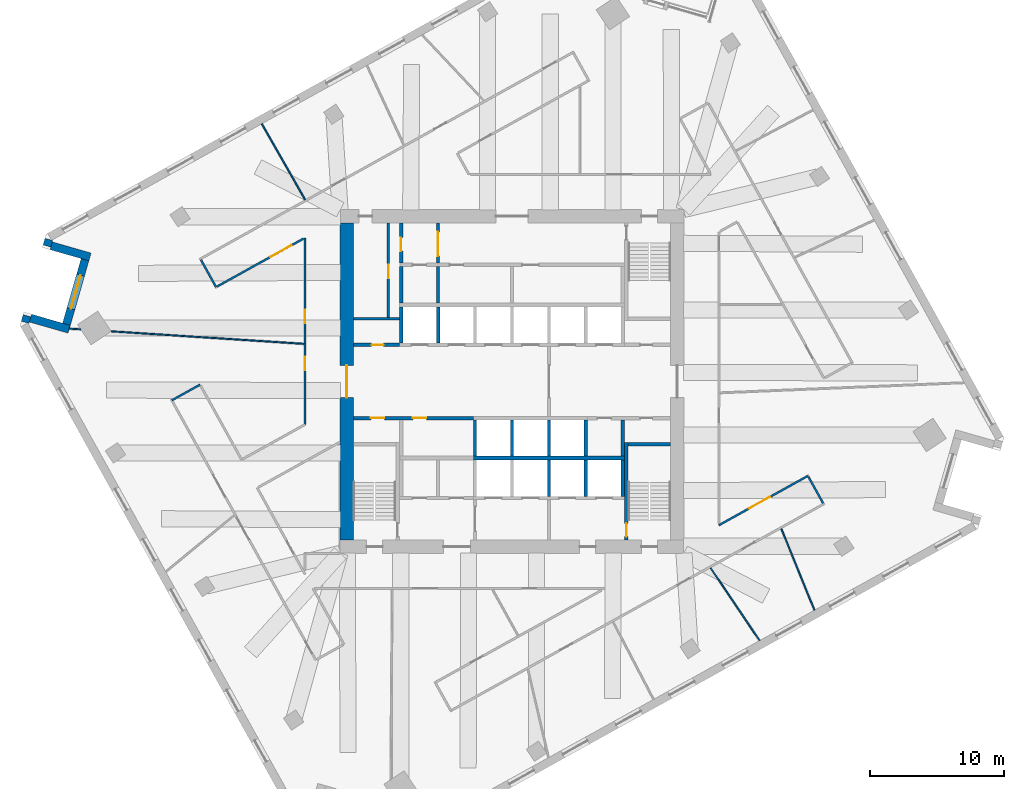
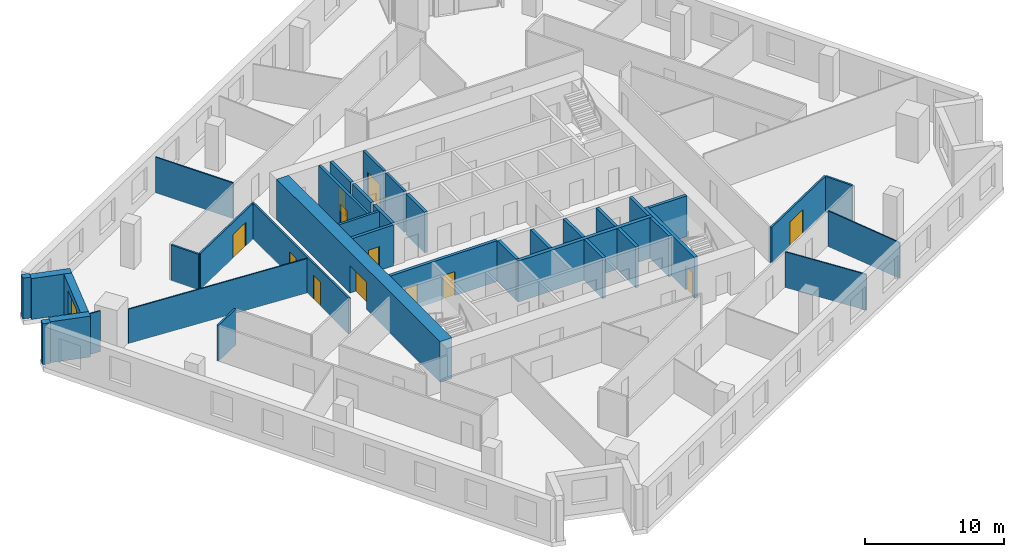
# One storey, part 6 of 11: 38 walls, 12 doors, 1 window, 13 openings.
"""IFC4 building model written with IfcOpenShell, lengths in metres."""

from ifc_helpers import new_model, si_unit, direction, frame, frame_2d, origin, place, context, subcontext, project, spatial, rectangle, extrude, material, layer, layer_set, type_object, element, fill, save


model = new_model("IFC4")

# Units and contexts
model_context = context("Model", 3, precision=1e-05, world=origin(), true_north=direction((0.0, 1.0)))
body_context = subcontext(model_context, "Body", "Model", "MODEL_VIEW")
ifc_project = project(units=[si_unit("LENGTHUNIT", "METRE"), si_unit("AREAUNIT", "SQUARE_METRE"), si_unit("VOLUMEUNIT", "CUBIC_METRE"), si_unit("PLANEANGLEUNIT", "RADIAN"), si_unit("MASSUNIT", "GRAM", prefix="KILO")], contexts=[model_context])

# Site, building, storey
site_placement = place(None, origin())
site = spatial("IfcSite", under=ifc_project, at=site_placement, CompositionType="ELEMENT")
building_placement = place(site_placement, origin())
building = spatial("IfcBuilding", under=site, at=building_placement, Name="Dilmun Exchange Tower", CompositionType="ELEMENT")
storey_placement = place(building_placement, frame((0.0, 0.0, 135.699951171875)))
storey = spatial("IfcBuildingStorey", under=building, at=storey_placement, Name="L31", CompositionType="ELEMENT", Elevation=135.699951171875)

# Wall
ifc_material_1 = material(Name="Concrete C40/50", Category="concrete")
ifc_layer_1 = layer(ifc_material_1, 0.199951171875)
ifc_layer_set_1 = layer_set([ifc_layer_1], Name="Concrete C40/50")
wall_type_1 = type_object("IfcWallType", Name="Core partition wall 200", PredefinedType="PARTITIONING", material=ifc_layer_set_1)
wall_1_placement = place(storey_placement, frame((-11.794921875, 4.675048828125, 0.0), z_axis=(0.0, 0.0, 1.0), x_axis=(1.0, 0.0, 0.0)))
element("IfcWall", 1, at=wall_1_placement, inside=storey, type_object=wall_type_1, Name="L31 core partition wall 14", PredefinedType="PARTITIONING", context=body_context, shape_type="SweptSolid", body=[
    extrude(rectangle(XDim=3.4150390625, YDim=0.199951171875, at=frame_2d((1.70751953125, 0.0))), origin(), (0.0, 0.0, 1.0), 3.60009765625),
])

# Wall, opening, door
wall_2_placement = place(storey_placement, frame((-9.199951171875, 4.780029296875, 0.0), z_axis=(0.0, 0.0, 1.0), x_axis=(0.0, 1.0, 0.0)))
wall_2 = element("IfcWall", 2, at=wall_2_placement, inside=storey, type_object=wall_type_1, Name="L31 core partition wall 15", PredefinedType="PARTITIONING", context=body_context, shape_type="SweptSolid", body=[
    extrude(rectangle(XDim=7.014892578125, YDim=0.199951171875, at=frame_2d((3.50732421875, 0.0))), origin(), (0.0, 0.0, 1.0), 3.60009765625),
])
opening_1_placement = place(wall_2_placement, frame((2.919921875, 0.0, 0.0)))
opening_1 = element("IfcOpeningElement", 3, at=opening_1_placement, cuts=wall_2, Name="Opening CD4", PredefinedType="OPENING", context=body_context, shape_type="SweptSolid", body=[
    extrude(rectangle(XDim=1.0, YDim=2.10009765625, at=frame_2d((0.5, 1.050048828125))), frame((0.0, 0.10986328125, 0.0), z_axis=(0.0, -1.0, 0.0), x_axis=(1.0, 0.0, 0.0)), (0.0, 0.0, 1.0), 0.219970703125),
])
ifc_material_2 = material(Name="Fire-rated steel door set", Category="steel")
door_type_1 = type_object("IfcDoorType", Name="Core room door 1000x2100", OperationType="SINGLE_SWING_LEFT", PredefinedType="DOOR", material=ifc_material_2)
door_1_placement = place(opening_1_placement, origin())
door_1 = element("IfcDoor", 4, at=door_1_placement, inside=storey, type_object=door_type_1, Name="L31 door Fire safety store", OperationType="SINGLE_SWING_RIGHT", OverallHeight=2.10009765625, OverallWidth=1.0, PredefinedType="DOOR", context=body_context, shape_type="SweptSolid", body=[
    extrude(rectangle(XDim=1.0, YDim=2.10009765625, at=frame_2d((0.5, 1.050048828125))), frame((0.0, 0.02490234375, 0.0), z_axis=(0.0, -1.0, 0.0), x_axis=(1.0, 0.0, 0.0)), (0.0, 0.0, 1.0), 0.050048828125),
])
fill(opening_1, door_1)

# Wall
wall_3_placement = place(storey_placement, frame((-5.5, 5.85498046875, 0.0), z_axis=(0.0, 0.0, 1.0), x_axis=(0.0, 1.0, 0.0)))
element("IfcWall", 5, at=wall_3_placement, inside=storey, type_object=wall_type_1, Name="L31 core partition wall 17", PredefinedType="PARTITIONING", context=body_context, shape_type="SweptSolid", body=[
    extrude(rectangle(XDim=2.68994140625, YDim=0.199951171875, at=frame_2d((1.344970703125, 0.0))), origin(), (0.0, 0.0, 1.0), 3.60009765625),
])

# Wall, opening, door
wall_4_placement = place(storey_placement, frame((-5.5, 8.804931640625, 0.0), z_axis=(0.0, 0.0, 1.0), x_axis=(0.0, 1.0, 0.0)))
wall_4 = element("IfcWall", 6, at=wall_4_placement, inside=storey, type_object=wall_type_1, Name="L31 core partition wall 22", PredefinedType="PARTITIONING", context=body_context, shape_type="SweptSolid", body=[
    extrude(rectangle(XDim=2.989990234375, YDim=0.199951171875, at=frame_2d((1.4951171875, 0.0))), origin(), (0.0, 0.0, 1.0), 3.60009765625),
])
opening_2_placement = place(wall_4_placement, frame((0.532470703125, 0.0, 0.0)))
opening_2 = element("IfcOpeningElement", 7, at=opening_2_placement, cuts=wall_4, Name="Opening CD5", PredefinedType="OPENING", context=body_context, shape_type="SweptSolid", body=[
    extrude(rectangle(XDim=1.800048828125, YDim=2.10009765625, at=frame_2d((0.89990234375, 1.050048828125))), frame((0.0, 0.10986328125, 0.0), z_axis=(0.0, -1.0, 0.0), x_axis=(1.0, 0.0, 0.0)), (0.0, 0.0, 1.0), 0.219970703125),
])
door_type_2 = type_object("IfcDoorType", Name="Stair exit door 1800x2100", OperationType="SINGLE_SWING_LEFT", PredefinedType="DOOR", material=ifc_material_2)
door_2_placement = place(opening_2_placement, origin())
door_2 = element("IfcDoor", 8, at=door_2_placement, inside=storey, type_object=door_type_2, Name="L31 door Core corridor east", OperationType="SINGLE_SWING_LEFT", OverallHeight=2.10009765625, OverallWidth=1.800048828125, PredefinedType="DOOR", context=body_context, shape_type="SweptSolid", body=[
    extrude(rectangle(XDim=1.800048828125, YDim=2.10009765625, at=frame_2d((0.89990234375, 1.050048828125))), frame((0.0, 0.02490234375, 0.0), z_axis=(0.0, -1.0, 0.0), x_axis=(1.0, 0.0, 0.0)), (0.0, 0.0, 1.0), 0.050048828125),
])
fill(opening_2, door_2)

# Wall
ifc_layer_2 = layer(ifc_material_1, 0.25)
ifc_layer_set_2 = layer_set([ifc_layer_2], Name="Concrete C40/50")
wall_type_2 = type_object("IfcWallType", Name="Core partition wall 250", PredefinedType="PARTITIONING", material=ifc_layer_set_2)
wall_5_placement = place(storey_placement, frame((8.25, -5.544921875, 0.0), z_axis=(0.0, 0.0, 1.0), x_axis=(0.0, 1.0, 0.0)))
element("IfcWall", 9, at=wall_5_placement, inside=storey, type_object=wall_type_2, Name="L31 core partition wall 08", PredefinedType="PARTITIONING", context=body_context, shape_type="SweptSolid", body=[
    extrude(rectangle(XDim=2.68994140625, YDim=0.25, at=frame_2d((1.344970703125, 0.0))), origin(), (0.0, 0.0, 1.0), 3.60009765625),
])

# Wall, openings, doors
wall_6_placement = place(storey_placement, frame((-11.794921875, -2.72509765625, 0.0), z_axis=(0.0, 0.0, 1.0), x_axis=(1.0, 0.0, 0.0)))
wall_6 = element("IfcWall", 10, at=wall_6_placement, inside=storey, type_object=wall_type_2, Name="L31 core partition wall 09", PredefinedType="PARTITIONING", context=body_context, shape_type="SweptSolid", body=[
    extrude(rectangle(XDim=8.9150390625, YDim=0.25, at=frame_2d((4.45751953125, 0.0))), origin(), (0.0, 0.0, 1.0), 3.60009765625),
])
opening_3_placement = place(wall_6_placement, frame((1.294921875, 0.0, 0.0)))
opening_3 = element("IfcOpeningElement", 11, at=opening_3_placement, cuts=wall_6, Name="Opening CD4", PredefinedType="OPENING", context=body_context, shape_type="SweptSolid", body=[
    extrude(rectangle(XDim=1.0, YDim=2.10009765625, at=frame_2d((0.5, 1.050048828125))), frame((0.0, 0.135009765625, 0.0), z_axis=(0.0, -1.0, 0.0), x_axis=(1.0, 0.0, 0.0)), (0.0, 0.0, 1.0), 0.27001953125),
])
opening_4_placement = place(wall_6_placement, frame((4.419921875, 0.0, 0.0)))
opening_4 = element("IfcOpeningElement", 12, at=opening_4_placement, cuts=wall_6, Name="Opening CD4", PredefinedType="OPENING", context=body_context, shape_type="SweptSolid", body=[
    extrude(rectangle(XDim=1.0, YDim=2.10009765625, at=frame_2d((0.5, 1.050048828125))), frame((0.0, 0.135009765625, 0.0), z_axis=(0.0, -1.0, 0.0), x_axis=(1.0, 0.0, 0.0)), (0.0, 0.0, 1.0), 0.27001953125),
])
door_3_placement = place(opening_3_placement, origin())
door_3 = element("IfcDoor", 13, at=door_3_placement, inside=storey, type_object=door_type_1, Name="L31 door Accessible WC", OperationType="SINGLE_SWING_RIGHT", OverallHeight=2.10009765625, OverallWidth=1.0, PredefinedType="DOOR", context=body_context, shape_type="SweptSolid", body=[
    extrude(rectangle(XDim=1.0, YDim=2.10009765625, at=frame_2d((0.5, 1.050048828125))), frame((0.0, 0.02490234375, 0.0), z_axis=(0.0, -1.0, 0.0), x_axis=(1.0, 0.0, 0.0)), (0.0, 0.0, 1.0), 0.050048828125),
])
fill(opening_3, door_3)
door_4_placement = place(opening_4_placement, origin())
door_4 = element("IfcDoor", 14, at=door_4_placement, inside=storey, type_object=door_type_1, Name="L31 door Print and mail room", OperationType="SINGLE_SWING_RIGHT", OverallHeight=2.10009765625, OverallWidth=1.0, PredefinedType="DOOR", context=body_context, shape_type="SweptSolid", body=[
    extrude(rectangle(XDim=1.0, YDim=2.10009765625, at=frame_2d((0.5, 1.050048828125))), frame((0.0, 0.02490234375, 0.0), z_axis=(0.0, -1.0, 0.0), x_axis=(1.0, 0.0, 0.0)), (0.0, 0.0, 1.0), 0.050048828125),
])
fill(opening_4, door_4)

# Wall, opening, door
wall_7_placement = place(storey_placement, frame((-11.794921875, 2.72509765625, 0.0), z_axis=(0.0, 0.0, 1.0), x_axis=(1.0, 0.0, 0.0)))
wall_7 = element("IfcWall", 15, at=wall_7_placement, inside=storey, type_object=wall_type_2, Name="L31 core partition wall 12", PredefinedType="PARTITIONING", context=body_context, shape_type="SweptSolid", body=[
    extrude(rectangle(XDim=3.4150390625, YDim=0.25, at=frame_2d((1.70751953125, 0.0))), origin(), (0.0, 0.0, 1.0), 3.60009765625),
])
opening_5_placement = place(wall_7_placement, frame((1.344970703125, 0.0, 0.0)))
opening_5 = element("IfcOpeningElement", 16, at=opening_5_placement, cuts=wall_7, Name="Opening CD6", PredefinedType="OPENING", context=body_context, shape_type="SweptSolid", body=[
    extrude(rectangle(XDim=0.89990234375, YDim=2.10009765625, at=frame_2d((0.449951171875, 1.050048828125))), frame((0.0, 0.135009765625, 0.0), z_axis=(0.0, -1.0, 0.0), x_axis=(1.0, 0.0, 0.0)), (0.0, 0.0, 1.0), 0.27001953125),
])
door_type_3 = type_object("IfcDoorType", Name="Core room door 900x2100", OperationType="SINGLE_SWING_LEFT", PredefinedType="DOOR", material=ifc_material_2)
door_5_placement = place(opening_5_placement, origin())
door_5 = element("IfcDoor", 17, at=door_5_placement, inside=storey, type_object=door_type_3, Name="L31 door Plumbing riser", OperationType="SINGLE_SWING_RIGHT", OverallHeight=2.10009765625, OverallWidth=0.89990234375, PredefinedType="DOOR", context=body_context, shape_type="SweptSolid", body=[
    extrude(rectangle(XDim=0.89990234375, YDim=2.10009765625, at=frame_2d((0.449951171875, 1.050048828125))), frame((0.0, 0.02490234375, 0.0), z_axis=(0.0, -1.0, 0.0), x_axis=(1.0, 0.0, 0.0)), (0.0, 0.0, 1.0), 0.050048828125),
])
fill(opening_5, door_5)

# Wall
wall_8_placement = place(storey_placement, frame((-8.25, 5.85498046875, 0.0), z_axis=(0.0, 0.0, 1.0), x_axis=(0.0, 1.0, 0.0)))
element("IfcWall", 18, at=wall_8_placement, inside=storey, type_object=wall_type_2, Name="L31 core partition wall 16", PredefinedType="PARTITIONING", context=body_context, shape_type="SweptSolid", body=[
    extrude(rectangle(XDim=2.68994140625, YDim=0.25, at=frame_2d((1.344970703125, 0.0))), origin(), (0.0, 0.0, 1.0), 3.60009765625),
])

# Wall, opening, door
wall_9_placement = place(storey_placement, frame((-8.25, 8.804931640625, 0.0), z_axis=(0.0, 0.0, 1.0), x_axis=(0.0, 1.0, 0.0)))
wall_9 = element("IfcWall", 19, at=wall_9_placement, inside=storey, type_object=wall_type_2, Name="L31 core partition wall 21", PredefinedType="PARTITIONING", context=body_context, shape_type="SweptSolid", body=[
    extrude(rectangle(XDim=2.989990234375, YDim=0.25, at=frame_2d((1.4951171875, 0.0))), origin(), (0.0, 0.0, 1.0), 3.60009765625),
])
opening_6_placement = place(wall_9_placement, frame((0.89501953125, 0.0, 0.0)))
opening_6 = element("IfcOpeningElement", 20, at=opening_6_placement, cuts=wall_9, Name="Opening CD4", PredefinedType="OPENING", context=body_context, shape_type="SweptSolid", body=[
    extrude(rectangle(XDim=1.0, YDim=2.10009765625, at=frame_2d((0.5, 1.050048828125))), frame((0.0, 0.135009765625, 0.0), z_axis=(0.0, -1.0, 0.0), x_axis=(1.0, 0.0, 0.0)), (0.0, 0.0, 1.0), 0.27001953125),
])
door_6_placement = place(opening_6_placement, origin())
door_6 = element("IfcDoor", 21, at=door_6_placement, inside=storey, type_object=door_type_1, Name="L31 door Tenant services room", OperationType="SINGLE_SWING_RIGHT", OverallHeight=2.10009765625, OverallWidth=1.0, PredefinedType="DOOR", context=body_context, shape_type="SweptSolid", body=[
    extrude(rectangle(XDim=1.0, YDim=2.10009765625, at=frame_2d((0.5, 1.050048828125))), frame((0.0, 0.02490234375, 0.0), z_axis=(0.0, -1.0, 0.0), x_axis=(1.0, 0.0, 0.0)), (0.0, 0.0, 1.0), 0.050048828125),
])
fill(opening_6, door_6)

ifc_material_3 = material(Name="Concrete C70/85", Category="concrete")
ifc_layer_3 = layer(ifc_material_3, 1.0)
ifc_layer_set_3 = layer_set([ifc_layer_3], Name="Concrete C70/85")
wall_type_3 = type_object("IfcWallType", Name="Core shear wall 1000 Concrete C70/85", PredefinedType="SHEAR", material=ifc_layer_set_3)
wall_10_placement = place(storey_placement, frame((-12.300048828125, -11.800048828125, 0.0), z_axis=(0.0, 0.0, 1.0), x_axis=(0.0, 1.0, 0.0)))
wall_10 = element("IfcWall", 22, at=wall_10_placement, inside=storey, type_object=wall_type_3, Name="L31 core shear wall W", PredefinedType="SHEAR", context=body_context, shape_type="SweptSolid", body=[
    extrude(rectangle(XDim=23.60009765625, YDim=1.0, at=frame_2d((11.800048828125, 0.0))), origin(), (0.0, 0.0, 1.0), 3.60009765625),
])
opening_7_placement = place(wall_10_placement, frame((10.60009765625, 0.0, 0.0)))
opening_7 = element("IfcOpeningElement", 23, at=opening_7_placement, cuts=wall_10, Name="Opening CD1", PredefinedType="OPENING", context=body_context, shape_type="SweptSolid", body=[
    extrude(rectangle(XDim=2.39990234375, YDim=2.39990234375, at=frame_2d((1.199951171875, 1.199951171875))), frame((0.0, 0.510009765625, 0.0), z_axis=(0.0, -1.0, 0.0), x_axis=(1.0, 0.0, 0.0)), (0.0, 0.0, 1.0), 1.02001953125),
])
door_type_4 = type_object("IfcDoorType", Name="Core lobby door 2400x2400", OperationType="DOUBLE_DOOR_DOUBLE_SWING", PredefinedType="DOOR", material=ifc_material_2)
door_7_placement = place(opening_7_placement, origin())
door_7 = element("IfcDoor", 24, at=door_7_placement, inside=storey, type_object=door_type_4, Name="L31 door Central lift lobby", OperationType="SINGLE_SWING_LEFT", OverallHeight=2.39990234375, OverallWidth=2.39990234375, PredefinedType="DOOR", context=body_context, shape_type="SweptSolid", body=[
    extrude(rectangle(XDim=2.39990234375, YDim=2.39990234375, at=frame_2d((1.199951171875, 1.199951171875))), frame((0.0, 0.02490234375, 0.0), z_axis=(0.0, -1.0, 0.0), x_axis=(1.0, 0.0, 0.0)), (0.0, 0.0, 1.0), 0.050048828125),
])
fill(opening_7, door_7)

# Walls
ifc_material_4 = material(Name="Corridor wall 150")
ifc_layer_4 = layer(ifc_material_4, 0.14990234375)
ifc_layer_set_4 = layer_set([ifc_layer_4], Name="Corridor wall 150")
wall_type_4 = type_object("IfcWallType", Name="Corridor wall 150", PredefinedType="PARTITIONING", material=ifc_layer_set_4)
wall_11_placement = place(storey_placement, frame((-25.31494140625, -1.40087890625, 0.0), z_axis=(0.0, 0.0, 1.0), x_axis=(0.874550463112, 0.484934518745, 0.0)))
element("IfcWall", 25, at=wall_11_placement, inside=storey, type_object=wall_type_4, Name="Corridor wall", PredefinedType="PARTITIONING", context=body_context, shape_type="SweptSolid", body=[
    extrude(rectangle(XDim=2.39990234375, YDim=0.14990234375, at=frame_2d((1.199951171875, 0.0))), origin(), (0.0, 0.0, 1.0), 3.150146484375),
])
wall_12_placement = place(storey_placement, frame((-23.150634765625, 9.057373046875, 0.0), z_axis=(0.0, 0.0, 1.0), x_axis=(0.484983092102, -0.874523527628, 0.0)))
element("IfcWall", 26, at=wall_12_placement, inside=storey, type_object=wall_type_4, Name="Corridor wall", PredefinedType="PARTITIONING", context=body_context, shape_type="SweptSolid", body=[
    extrude(rectangle(XDim=2.3251953125, YDim=0.14990234375, at=frame_2d((1.16259765625, 0.0))), origin(), (0.0, 0.0, 1.0), 3.150146484375),
])

# Wall, opening, door
wall_13_placement = place(storey_placement, frame((-21.95751953125, 7.060302734375, 0.0), z_axis=(0.0, 0.0, 1.0), x_axis=(0.87462563297, 0.484798929611, 0.0)))
wall_13 = element("IfcWall", 27, at=wall_13_placement, inside=storey, type_object=wall_type_4, Name="Corridor wall", PredefinedType="PARTITIONING", context=body_context, shape_type="SweptSolid", body=[
    extrude(rectangle(XDim=7.3701171875, YDim=0.14990234375, at=frame_2d((3.68505859375, 0.0))), origin(), (0.0, 0.0, 1.0), 3.150146484375),
])
opening_8_placement = place(wall_13_placement, frame((4.550048828125, 0.0, 0.0)))
opening_8 = element("IfcOpeningElement", 28, at=opening_8_placement, cuts=wall_13, Name="Opening TF31-D03", PredefinedType="OPENING", context=body_context, shape_type="SweptSolid", body=[
    extrude(rectangle(XDim=1.800048828125, YDim=2.10009765625, at=frame_2d((0.89990234375, 1.050048828125))), frame((0.0, 0.0849609375, 0.0), z_axis=(0.0, -1.0, 0.0), x_axis=(1.0, 0.0, 0.0)), (0.0, 0.0, 1.0), 0.169921875),
])
ifc_material_5 = material(Name="Fire door pair 1800 x 2100")
door_type_5 = type_object("IfcDoorType", Name="Fire door pair 1800 x 2100", OperationType="NOTDEFINED", PredefinedType="DOOR", material=ifc_material_5)
door_8_placement = place(opening_8_placement, frame((1.800048828125, 0.0, 0.0), z_axis=(0.0, 0.0, 1.0), x_axis=(-1.0, 0.0, 0.0)))
door_8 = element("IfcDoor", 29, at=door_8_placement, inside=storey, type_object=door_type_5, Name="Door TF31-D03", OperationType="DOUBLE_DOOR_SINGLE_SWING", OverallHeight=2.10009765625, OverallWidth=1.800048828125, PredefinedType="DOOR", context=body_context, shape_type="SweptSolid", body=[
    extrude(rectangle(XDim=1.800048828125, YDim=2.10009765625, at=frame_2d((0.89990234375, 1.050048828125))), frame((0.0, 0.02490234375, 0.0), z_axis=(0.0, -1.0, 0.0), x_axis=(1.0, 0.0, 0.0)), (0.0, 0.0, 1.0), 0.050048828125),
])
fill(opening_8, door_8)

# Wall, openings, doors
wall_14_placement = place(storey_placement, frame((-15.39990234375, -3.200927734375, 0.0), z_axis=(0.0, 0.0, 1.0), x_axis=(0.0, 1.0, 0.0)))
wall_14 = element("IfcWall", 30, at=wall_14_placement, inside=storey, type_object=wall_type_4, Name="Corridor wall", PredefinedType="PARTITIONING", context=body_context, shape_type="SweptSolid", body=[
    extrude(rectangle(XDim=13.89599609375, YDim=0.14990234375, at=frame_2d((6.947998046875, 0.0))), origin(), (0.0, 0.0, 1.0), 3.150146484375),
])
opening_9_placement = place(wall_14_placement, frame((4.050048828125, 0.0, 0.0)))
opening_9 = element("IfcOpeningElement", 31, at=opening_9_placement, cuts=wall_14, Name="Opening TF31-D02", PredefinedType="OPENING", context=body_context, shape_type="SweptSolid", body=[
    extrude(rectangle(XDim=1.0, YDim=2.10009765625, at=frame_2d((0.5, 1.050048828125))), frame((0.0, 0.0849609375, 0.0), z_axis=(0.0, -1.0, 0.0), x_axis=(1.0, 0.0, 0.0)), (0.0, 0.0, 1.0), 0.169921875),
])
opening_10_placement = place(wall_14_placement, frame((7.545654296875, 0.0, 0.0)))
opening_10 = element("IfcOpeningElement", 32, at=opening_10_placement, cuts=wall_14, Name="Opening TF31-D04", PredefinedType="OPENING", context=body_context, shape_type="SweptSolid", body=[
    extrude(rectangle(XDim=1.0, YDim=2.10009765625, at=frame_2d((0.5, 1.050048828125))), frame((0.0, 0.0849609375, 0.0), z_axis=(0.0, -1.0, 0.0), x_axis=(1.0, 0.0, 0.0)), (0.0, 0.0, 1.0), 0.169921875),
])
ifc_material_6 = material(Name="Fire door 1000 x 2100")
door_type_6 = type_object("IfcDoorType", Name="Fire door 1000 x 2100", OperationType="NOTDEFINED", PredefinedType="DOOR", material=ifc_material_6)
door_9_placement = place(opening_9_placement, origin())
door_9 = element("IfcDoor", 33, at=door_9_placement, inside=storey, type_object=door_type_6, Name="Door TF31-D02", OperationType="SINGLE_SWING_RIGHT", OverallHeight=2.10009765625, OverallWidth=1.0, PredefinedType="DOOR", context=body_context, shape_type="SweptSolid", body=[
    extrude(rectangle(XDim=1.0, YDim=2.10009765625, at=frame_2d((0.5, 1.050048828125))), frame((0.0, 0.02490234375, 0.0), z_axis=(0.0, -1.0, 0.0), x_axis=(1.0, 0.0, 0.0)), (0.0, 0.0, 1.0), 0.050048828125),
])
fill(opening_9, door_9)
door_10_placement = place(opening_10_placement, origin())
door_10 = element("IfcDoor", 34, at=door_10_placement, inside=storey, type_object=door_type_6, Name="Door TF31-D04", OperationType="SINGLE_SWING_RIGHT", OverallHeight=2.10009765625, OverallWidth=1.0, PredefinedType="DOOR", context=body_context, shape_type="SweptSolid", body=[
    extrude(rectangle(XDim=1.0, YDim=2.10009765625, at=frame_2d((0.5, 1.050048828125))), frame((0.0, 0.02490234375, 0.0), z_axis=(0.0, -1.0, 0.0), x_axis=(1.0, 0.0, 0.0)), (0.0, 0.0, 1.0), 0.050048828125),
])
fill(opening_10, door_10)

# Wall, opening, door
wall_15_placement = place(storey_placement, frame((15.39990234375, -10.695068359375, 0.0), z_axis=(0.0, 0.0, 1.0), x_axis=(0.874623752953, 0.484802321334, 0.0)))
wall_15 = element("IfcWall", 35, at=wall_15_placement, inside=storey, type_object=wall_type_4, Name="Corridor wall", PredefinedType="PARTITIONING", context=body_context, shape_type="SweptSolid", body=[
    extrude(rectangle(XDim=7.572509765625, YDim=0.14990234375, at=frame_2d((3.7861328125, 0.0))), origin(), (0.0, 0.0, 1.0), 3.150146484375),
])
opening_11_placement = place(wall_15_placement, frame((2.550048828125, 0.0, 0.0)))
opening_11 = element("IfcOpeningElement", 36, at=opening_11_placement, cuts=wall_15, Name="Opening TF31-D22", PredefinedType="OPENING", context=body_context, shape_type="SweptSolid", body=[
    extrude(rectangle(XDim=1.800048828125, YDim=2.10009765625, at=frame_2d((0.89990234375, 1.050048828125))), frame((0.0, 0.0849609375, 0.0), z_axis=(0.0, -1.0, 0.0), x_axis=(1.0, 0.0, 0.0)), (0.0, 0.0, 1.0), 0.169921875),
])
door_11_placement = place(opening_11_placement, origin())
door_11 = element("IfcDoor", 37, at=door_11_placement, inside=storey, type_object=door_type_5, Name="Door TF31-D22", OperationType="DOUBLE_DOOR_SINGLE_SWING", OverallHeight=2.10009765625, OverallWidth=1.800048828125, PredefinedType="DOOR", context=body_context, shape_type="SweptSolid", body=[
    extrude(rectangle(XDim=1.800048828125, YDim=2.10009765625, at=frame_2d((0.89990234375, 1.050048828125))), frame((0.0, 0.02490234375, 0.0), z_axis=(0.0, -1.0, 0.0), x_axis=(1.0, 0.0, 0.0)), (0.0, 0.0, 1.0), 0.050048828125),
])
fill(opening_11, door_11)

# Walls
wall_16_placement = place(storey_placement, frame((22.059326171875, -7.089599609375, 0.0), z_axis=(0.0, 0.0, 1.0), x_axis=(0.484997936641, -0.874515295151, 0.0)))
element("IfcWall", 38, at=wall_16_placement, inside=storey, type_object=wall_type_4, Name="Corridor wall", PredefinedType="PARTITIONING", context=body_context, shape_type="SweptSolid", body=[
    extrude(rectangle(XDim=2.250244140625, YDim=0.14990234375, at=frame_2d((1.125, 0.0))), origin(), (0.0, 0.0, 1.0), 3.150146484375),
])
ifc_layer_5 = layer(ifc_material_1, 0.300048828125)
ifc_layer_set_5 = layer_set([ifc_layer_5], Name="Concrete C40/50")
wall_type_5 = type_object("IfcWallType", Name="Lift shaft shared wall 300", PredefinedType="SOLIDWALL", material=ifc_layer_set_5)
wall_17_placement = place(storey_placement, frame((-2.875, -5.699951171875, 0.0), z_axis=(0.0, 0.0, 1.0), x_axis=(1.0, 0.0, 0.0)))
element("IfcWall", 39, at=wall_17_placement, inside=storey, type_object=wall_type_5, Name="L31 lift shaft rear wall S", PredefinedType="SOLIDWALL", context=body_context, shape_type="SweptSolid", body=[
    extrude(rectangle(XDim=11.25, YDim=0.300048828125, at=frame_2d((5.625, 0.0))), origin(), (0.0, 0.0, 1.0), 3.60009765625),
])
ifc_layer_6 = layer(ifc_material_1, 0.25)
ifc_layer_set_6 = layer_set([ifc_layer_6], Name="Concrete C40/50")
wall_type_6 = type_object("IfcWallType", Name="Lift shaft wall 250", PredefinedType="SOLIDWALL", material=ifc_layer_set_6)
for number, where, z_axis, x_axis, name in (
    (40, (-8.25, 2.85009765625, 0.0), (0.0, 0.0, 1.0), (0.0, 1.0, 0.0), "L31 lift shaft divider N10"),
    (41, (-5.5, 2.85009765625, 0.0), (0.0, 0.0, 1.0), (0.0, 1.0, 0.0), "L31 lift shaft divider N11"),
    (42, (-2.75, -5.550048828125, 0.0), (0.0, 0.0, 1.0), (0.0, 1.0, 0.0), "L31 lift shaft divider S12"),
    (43, (0.0, -5.550048828125, 0.0), (0.0, 0.0, 1.0), (0.0, 1.0, 0.0), "L31 lift shaft divider S13"),
    (44, (2.75, -5.550048828125, 0.0), (0.0, 0.0, 1.0), (0.0, 1.0, 0.0), "L31 lift shaft divider S14"),
    (45, (5.5, -5.550048828125, 0.0), (0.0, 0.0, 1.0), (0.0, 1.0, 0.0), "L31 lift shaft divider S15"),
    (46, (2.75, -8.550048828125, 0.0), (0.0, 0.0, 1.0), (0.0, 1.0, 0.0), "L31 lift shaft divider S24"),
    (47, (5.5, -8.550048828125, 0.0), (0.0, 0.0, 1.0), (0.0, 1.0, 0.0), "L31 lift shaft divider S25"),
    (48, (8.25, -8.550048828125, 0.0), (0.0, 0.0, 1.0), (0.0, 1.0, 0.0), "L31 lift shaft divider S26"),
):
    element("IfcWall", number, at=place(storey_placement, frame(where, z_axis=z_axis, x_axis=x_axis)), inside=storey, type_object=wall_type_6, Name=name, PredefinedType="SOLIDWALL", context=body_context, shape_type="SweptSolid", body=[
        extrude(rectangle(XDim=2.699951171875, YDim=0.25, at=frame_2d((1.35009765625, 0.0))), origin(), (0.0, 0.0, 1.0), 3.60009765625),
    ])
ifc_material_7 = material(Name="Partition 100")
ifc_layer_7 = layer(ifc_material_7, 0.10009765625)
ifc_layer_set_7 = layer_set([ifc_layer_7], Name="Partition 100")
wall_type_7 = type_object("IfcWallType", Name="Partition 100", PredefinedType="PARTITIONING", material=ifc_layer_set_7)
wall_18_placement = place(storey_placement, frame((-32.934814453125, 3.93408203125, 0.0), z_axis=(0.0, 0.0, 1.0), x_axis=(0.997900062075, -0.064772417822, 0.0)))
element("IfcWall", 49, at=wall_18_placement, inside=storey, type_object=wall_type_7, Name="Partition", PredefinedType="PARTITIONING", context=body_context, shape_type="SweptSolid", body=[
    extrude(rectangle(XDim=0.84423828125, YDim=0.10009765625, at=frame_2d((0.422119140625, 0.0))), origin(), (0.0, 0.0, 1.0), 3.60009765625),
])
wall_19_placement = place(storey_placement, frame((-29.830810546875, 3.732421875, 0.0), z_axis=(0.0, 0.0, 1.0), x_axis=(0.997896608912, -0.0648255962, 0.0)))
element("IfcWall", 50, at=wall_19_placement, inside=storey, type_object=wall_type_7, Name="Partition", PredefinedType="PARTITIONING", context=body_context, shape_type="SweptSolid", body=[
    extrude(rectangle(XDim=14.3828125, YDim=0.10009765625, at=frame_2d((7.19140625, 0.0))), origin(), (0.0, 0.0, 1.0), 3.030029296875),
])
wall_20_placement = place(storey_placement, frame((-18.622314453125, 19.173828125, 0.0), z_axis=(0.0, 0.0, 1.0), x_axis=(0.496555361039, -0.8680050538, 0.0)))
element("IfcWall", 51, at=wall_20_placement, inside=storey, type_object=wall_type_7, Name="Partition", PredefinedType="PARTITIONING", context=body_context, shape_type="SweptSolid", body=[
    extrude(rectangle(XDim=6.502197265625, YDim=0.10009765625, at=frame_2d((3.2509765625, 0.0))), origin(), (0.0, 0.0, 1.0), 3.150146484375),
])
wall_21_placement = place(storey_placement, frame((14.777587890625, -13.875, 0.0), z_axis=(0.0, 0.0, 1.0), x_axis=(0.559166197626, -0.829055585249, 0.0)))
element("IfcWall", 52, at=wall_21_placement, inside=storey, type_object=wall_type_7, Name="Partition", PredefinedType="PARTITIONING", context=body_context, shape_type="SweptSolid", body=[
    extrude(rectangle(XDim=6.52294921875, YDim=0.10009765625, at=frame_2d((3.261474609375, 0.0))), origin(), (0.0, 0.0, 1.0), 3.150146484375),
])
wall_22_placement = place(storey_placement, frame((20.038818359375, -10.96044921875, 0.0), z_axis=(0.0, 0.0, 1.0), x_axis=(0.377410664053, -0.926045998134, 0.0)))
element("IfcWall", 53, at=wall_22_placement, inside=storey, type_object=wall_type_7, Name="Partition", PredefinedType="PARTITIONING", context=body_context, shape_type="SweptSolid", body=[
    extrude(rectangle(XDim=6.543212890625, YDim=0.10009765625, at=frame_2d((3.271484375, 0.0))), origin(), (0.0, 0.0, 1.0), 3.150146484375),
])
ifc_material_8 = material(Name="Precast concrete C50/60", Category="concrete")
ifc_layer_8 = layer(ifc_material_8, 0.60009765625)
ifc_layer_set_8 = layer_set([ifc_layer_8], Name="Precast concrete C50/60")
wall_type_8 = type_object("IfcWallType", Name="Precast stone-clad wall 600", PredefinedType="STANDARD", material=ifc_layer_set_8)
wall_23_placement = place(storey_placement, frame((-34.465576171875, 10.5751953125, 0.0), z_axis=(0.0, 0.0, 1.0), x_axis=(-0.275667500387, -0.96125305161, 0.0)))
element("IfcWall", 54, at=wall_23_placement, inside=storey, type_object=wall_type_8, Name="Facade wall L31-04", PredefinedType="STANDARD", context=body_context, shape_type="SweptSolid", body=[
    extrude(rectangle(XDim=0.510986328125, YDim=0.60009765625, at=frame_2d((0.25537109375, 0.0))), origin(), (0.0, 0.0, 1.0), 3.60009765625),
])
wall_24_placement = place(storey_placement, frame((-34.29052734375, 10.097412109375, 0.0), z_axis=(0.0, 0.0, 1.0), x_axis=(0.96126248289, -0.275634611374, 0.0)))
element("IfcWall", 55, at=wall_24_placement, inside=storey, type_object=wall_type_8, Name="Facade wall L31-05", PredefinedType="STANDARD", context=body_context, shape_type="SweptSolid", body=[
    extrude(rectangle(XDim=3.0, YDim=0.60009765625, at=frame_2d((1.5, 0.0))), origin(), (0.0, 0.0, 1.0), 3.60009765625),
])

# Wall, opening, window
wall_25_placement = place(storey_placement, frame((-31.777587890625, 9.064697265625, 0.0), z_axis=(0.0, 0.0, 1.0), x_axis=(-0.275675415896, -0.961250781571, 0.0)))
wall_25 = element("IfcWall", 56, at=wall_25_placement, inside=storey, type_object=wall_type_8, Name="Facade wall L31-06", PredefinedType="STANDARD", context=body_context, shape_type="SweptSolid", body=[
    extrude(rectangle(XDim=5.000244140625, YDim=0.60009765625, at=frame_2d((2.5, 0.0))), origin(), (0.0, 0.0, 1.0), 3.60009765625),
])
opening_12_placement = place(wall_25_placement, frame((1.199951171875, 0.0, 0.89990234375)))
opening_12 = element("IfcOpeningElement", 57, at=opening_12_placement, cuts=wall_25, Name="Opening W260-210", PredefinedType="OPENING", context=body_context, shape_type="SweptSolid", body=[
    extrude(rectangle(XDim=2.60009765625, YDim=2.10009765625, at=frame_2d((1.300048828125, 1.050048828125))), frame((0.0, 0.31005859375, 0.0), z_axis=(0.0, -1.0, 0.0), x_axis=(1.0, 0.0, 0.0)), (0.0, 0.0, 1.0), 0.6201171875),
])
ifc_material_9 = material(Name="Clear low-emissivity glass in aluminium frame", Category="aluminium")
window_type = type_object("IfcWindowType", Name="Punched window 2600 x 2100", PartitioningType="DOUBLE_PANEL_VERTICAL", PredefinedType="WINDOW", material=ifc_material_9)
window_placement = place(opening_12_placement, origin())
window = element("IfcWindow", 58, at=window_placement, inside=storey, type_object=window_type, Name="Window 7.1", OverallHeight=2.10009765625, OverallWidth=2.60009765625, PartitioningType="SINGLE_PANEL", PredefinedType="WINDOW", context=body_context, shape_type="SweptSolid", body=[
    extrude(rectangle(XDim=2.60009765625, YDim=2.10009765625, at=frame_2d((1.300048828125, 1.050048828125))), frame((0.0, 0.030029296875, 0.0), z_axis=(0.0, -1.0, 0.0), x_axis=(1.0, 0.0, 0.0)), (0.0, 0.0, 1.0), 0.06005859375),
])
fill(opening_12, window)

# Walls
wall_26_placement = place(storey_placement, frame((-32.9501953125, 3.88720703125, 0.0), z_axis=(0.0, 0.0, 1.0), x_axis=(-0.96126248289, 0.275634611374, 0.0)))
element("IfcWall", 59, at=wall_26_placement, inside=storey, type_object=wall_type_8, Name="Facade wall L31-07", PredefinedType="STANDARD", context=body_context, shape_type="SweptSolid", body=[
    extrude(rectangle(XDim=3.0, YDim=0.60009765625, at=frame_2d((1.5, 0.0))), origin(), (0.0, 0.0, 1.0), 3.60009765625),
])
wall_27_placement = place(storey_placement, frame((-36.0947265625, 4.89306640625, 0.0), z_axis=(0.0, 0.0, 1.0), x_axis=(-0.275982153595, -0.961162759837, 0.0)))
element("IfcWall", 60, at=wall_27_placement, inside=storey, type_object=wall_type_8, Name="Facade wall L31-08", PredefinedType="STANDARD", context=body_context, shape_type="SweptSolid", body=[
    extrude(rectangle(XDim=0.51123046875, YDim=0.60009765625, at=frame_2d((0.255615234375, 0.0))), origin(), (0.0, 0.0, 1.0), 3.60009765625),
])
ifc_layer_9 = layer(ifc_material_1, 0.25)
ifc_layer_set_9 = layer_set([ifc_layer_9], Name="Concrete C40/50")
wall_type_9 = type_object("IfcWallType", Name="Stair end wall 250", PredefinedType="SOLIDWALL", material=ifc_layer_set_9)
wall_28_placement = place(storey_placement, frame((8.64990234375, -4.675048828125, 0.0), z_axis=(0.0, 0.0, 1.0), x_axis=(1.0, 0.0, 0.0)))
element("IfcWall", 61, at=wall_28_placement, inside=storey, type_object=wall_type_9, Name="L31 ST3 far wall", PredefinedType="SOLIDWALL", context=body_context, shape_type="SweptSolid", body=[
    extrude(rectangle(XDim=3.150146484375, YDim=0.25, at=frame_2d((1.5751953125, 0.0))), origin(), (0.0, 0.0, 1.0), 3.60009765625),
])

# Wall, opening, door
ifc_layer_10 = layer(ifc_material_1, 0.27490234375)
ifc_layer_set_10 = layer_set([ifc_layer_10], Name="Concrete C40/50")
wall_type_10 = type_object("IfcWallType", Name="Stair wall 275", PredefinedType="SOLIDWALL", material=ifc_layer_set_10)
wall_29_placement = place(storey_placement, frame((8.512451171875, -4.550048828125, 0.0), z_axis=(0.0, 0.0, 1.0), x_axis=(0.0, -1.0, 0.0)))
wall_29 = element("IfcWall", 62, at=wall_29_placement, inside=storey, type_object=wall_type_10, Name="L31 ST3 wall to lift block", PredefinedType="SOLIDWALL", context=body_context, shape_type="SweptSolid", body=[
    extrude(rectangle(XDim=7.25, YDim=0.27490234375, at=frame_2d((3.625, 0.0))), origin(), (0.0, 0.0, 1.0), 3.60009765625),
])
opening_13_placement = place(wall_29_placement, frame((6.0, 0.0, 0.0)))
opening_13 = element("IfcOpeningElement", 63, at=opening_13_placement, cuts=wall_29, Name="Opening CD4", PredefinedType="OPENING", context=body_context, shape_type="SweptSolid", body=[
    extrude(rectangle(XDim=1.0, YDim=2.10009765625, at=frame_2d((0.5, 1.050048828125))), frame((0.0, 0.1474609375, 0.0), z_axis=(0.0, -1.0, 0.0), x_axis=(1.0, 0.0, 0.0)), (0.0, 0.0, 1.0), 0.294921875),
])
door_12_placement = place(opening_13_placement, origin())
door_12 = element("IfcDoor", 64, at=door_12_placement, inside=storey, type_object=door_type_1, Name="L31 door ST3 from lobby", OperationType="SINGLE_SWING_LEFT", OverallHeight=2.10009765625, OverallWidth=1.0, PredefinedType="DOOR", context=body_context, shape_type="SweptSolid", body=[
    extrude(rectangle(XDim=1.0, YDim=2.10009765625, at=frame_2d((0.5, 1.050048828125))), frame((0.0, 0.02490234375, 0.0), z_axis=(0.0, -1.0, 0.0), x_axis=(1.0, 0.0, 0.0)), (0.0, 0.0, 1.0), 0.050048828125),
])
fill(opening_13, door_12)

save(model, "model.ifc")
